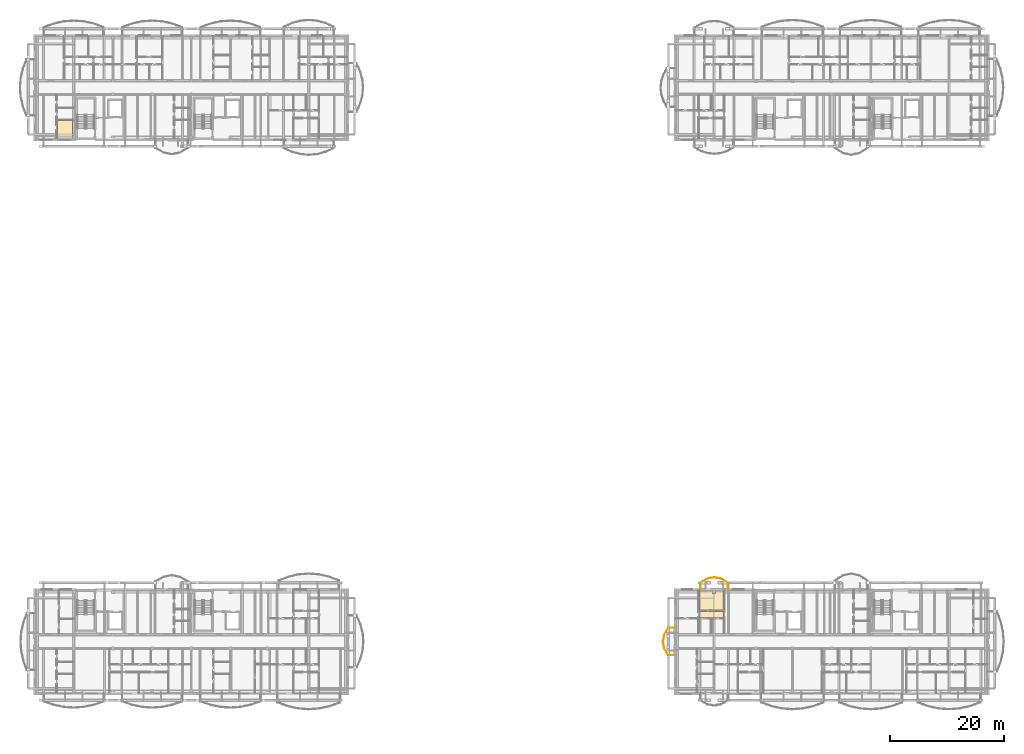
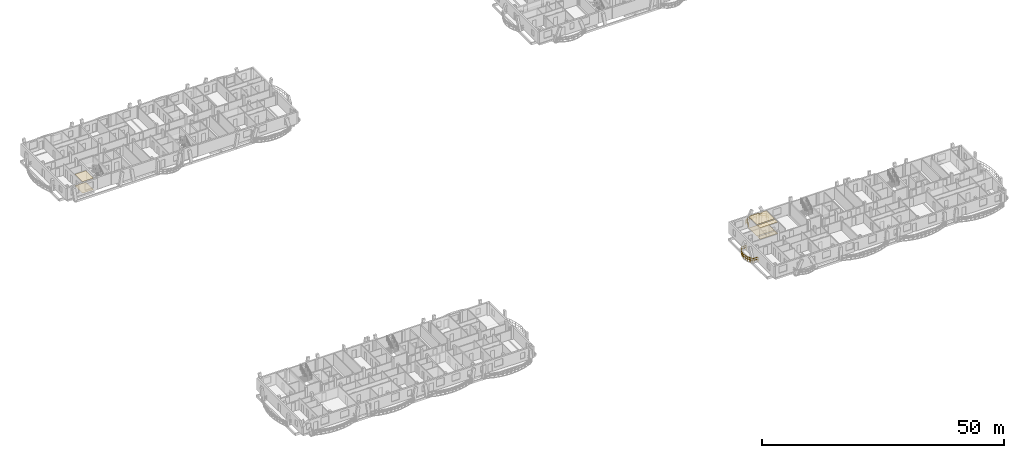
# One storey, part 42 of 52: 6 coverings, 2 railings.
"""IFC4 building model written with IfcOpenShell, lengths in metres."""

from ifc_helpers import new_model, si_unit, direction, frame, origin, origin_2d, place, context, subcontext, project, spatial, polyline, rectangle, outline, extrude, material, layer, layer_set, type_object, element, save


model = new_model("IFC4")

# Units and contexts
model_context = context("Model", 3, precision=1e-05, world=origin(), true_north=direction((0.0, 1.0)))
body_context = subcontext(model_context, "Body", "Model", "MODEL_VIEW")
ifc_project = project(units=[si_unit("LENGTHUNIT", "METRE"), si_unit("AREAUNIT", "SQUARE_METRE"), si_unit("VOLUMEUNIT", "CUBIC_METRE"), si_unit("PLANEANGLEUNIT", "RADIAN"), si_unit("MASSUNIT", "GRAM", prefix="KILO")], contexts=[model_context])

# Site, building, storey
site_placement = place(None, origin())
site = spatial("IfcSite", under=ifc_project, at=site_placement, CompositionType="ELEMENT")
building_placement = place(site_placement, origin())
building = spatial("IfcBuilding", under=site, at=building_placement, Name="Zavelmont Quarter", CompositionType="ELEMENT")
storey_placement = place(building_placement, frame((0.0, 0.0, 14.39990234375)))
storey = spatial("IfcBuildingStorey", under=building, at=storey_placement, Name="L04", CompositionType="ELEMENT", Elevation=14.39990234375)

# Coverings
ifc_material_1 = material(Name="Perforated acoustic gypsum board")
ifc_layer_1 = layer(ifc_material_1, 0.02490234375)
ifc_layer_set_1 = layer_set([ifc_layer_1], Name="Perforated acoustic gypsum board")
covering_type_1 = type_object("IfcCoveringType", Name="CV-CL01", PredefinedType="CEILING", material=ifc_layer_set_1)
covering_1_placement = place(storey_placement, frame((0.0, 0.0, 2.9150390625)))
element("IfcCovering", 1, at=covering_1_placement, inside=storey, type_object=covering_type_1, Name="L04 Single Bedroom acoustic ceiling", PredefinedType="CEILING", context=body_context, shape_type="SweptSolid", body=[
    extrude(outline(polyline([(4.030029296875, 100.969970703125), (6.669921875, 100.969970703125), (6.669921875, 98.304931640625), (6.635009765625, 98.304931640625), (6.635009765625, 97.8798828125), (4.030029296875, 97.8798828125), (4.030029296875, 100.969970703125)])), origin(), (0.0, 0.0, 1.0), 0.025146484375),
])
covering_2_placement = place(storey_placement, frame((0.0, 0.0, 2.885009765625)))
element("IfcCovering", 2, at=covering_2_placement, inside=storey, type_object=covering_type_1, Name="L04 Master Bedroom acoustic ceiling", PredefinedType="CEILING", context=body_context, shape_type="SweptSolid", body=[
    extrude(outline(polyline([(117.1298828125, 18.1201171875), (119.43505859375, 18.1201171875), (119.43505859375, 17.695068359375), (119.965087890625, 17.695068359375), (119.965087890625, 18.1201171875), (121.3701171875, 18.1201171875), (121.3701171875, 14.72998046875), (117.1298828125, 14.72998046875), (117.1298828125, 18.1201171875)])), origin(), (0.0, 0.0, 1.0), 0.025146484375),
])
ifc_material_2 = material(Name="Slatted European ash acoustic baffle ceiling")
ifc_layer_2 = layer(ifc_material_2, 0.0400390625)
ifc_layer_set_2 = layer_set([ifc_layer_2], Name="Slatted European ash acoustic baffle ceiling")
covering_type_2 = type_object("IfcCoveringType", Name="CV-CL02", PredefinedType="CEILING", material=ifc_layer_set_2)
covering_3_placement = place(storey_placement, frame((0.0, 0.0, 2.8701171875)))
element("IfcCovering", 3, at=covering_3_placement, inside=storey, type_object=covering_type_2, Name="L04 Apartment Hall acoustic ceiling", PredefinedType="CEILING", context=body_context, shape_type="SweptSolid", body=[
    extrude(outline(polyline([(117.1298828125, 14.469970703125), (121.3701171875, 14.469970703125), (121.3701171875, 13.3798828125), (117.1298828125, 13.3798828125), (117.1298828125, 14.469970703125)])), origin(), (0.0, 0.0, 1.0), 0.0400390625),
])
ifc_material_3 = material(Name="Engineered European oak parquet")
ifc_layer_3 = layer(ifc_material_3, 0.02197265625)
ifc_layer_set_3 = layer_set([ifc_layer_3], Name="Engineered European oak parquet")
covering_type_3 = type_object("IfcCoveringType", Name="CV-FL01", PredefinedType="FLOORING", material=ifc_layer_set_3)
covering_4_placement = place(storey_placement, origin())
element("IfcCovering", 4, at=covering_4_placement, inside=storey, type_object=covering_type_3, Name="L04 Single Bedroom floor finish", PredefinedType="FLOORING", context=body_context, shape_type="SweptSolid", body=[
    extrude(outline(polyline([(4.030029296875, 100.969970703125), (6.669921875, 100.969970703125), (6.669921875, 98.304931640625), (6.635009765625, 98.304931640625), (6.635009765625, 97.8798828125), (4.030029296875, 97.8798828125), (4.030029296875, 100.969970703125)])), origin(), (0.0, 0.0, 1.0), 0.022216796875),
])
covering_5_placement = place(storey_placement, origin())
element("IfcCovering", 5, at=covering_5_placement, inside=storey, type_object=covering_type_3, Name="L04 Master Bedroom floor finish", PredefinedType="FLOORING", context=body_context, shape_type="SweptSolid", body=[
    extrude(outline(polyline([(117.1298828125, 18.1201171875), (119.43505859375, 18.1201171875), (119.43505859375, 17.695068359375), (119.965087890625, 17.695068359375), (119.965087890625, 18.1201171875), (121.3701171875, 18.1201171875), (121.3701171875, 14.72998046875), (117.1298828125, 14.72998046875), (117.1298828125, 18.1201171875)])), origin(), (0.0, 0.0, 1.0), 0.022216796875),
])
ifc_material_4 = material(Name="Honed Belgian bluestone tile", Category="masonry")
ifc_layer_4 = layer(ifc_material_4, 0.030029296875)
ifc_layer_set_4 = layer_set([ifc_layer_4], Name="Honed Belgian bluestone tile")
covering_type_4 = type_object("IfcCoveringType", Name="CV-FL02", PredefinedType="FLOORING", material=ifc_layer_set_4)
covering_6_placement = place(storey_placement, origin())
element("IfcCovering", 6, at=covering_6_placement, inside=storey, type_object=covering_type_4, Name="L04 Apartment Hall floor finish", PredefinedType="FLOORING", context=body_context, shape_type="SweptSolid", body=[
    extrude(outline(polyline([(117.1298828125, 14.469970703125), (121.3701171875, 14.469970703125), (121.3701171875, 13.3798828125), (117.1298828125, 13.3798828125), (117.1298828125, 14.469970703125)])), origin(), (0.0, 0.0, 1.0), 0.030029296875),
])

# Railings
ifc_material_5 = material(Name="Powder-coated steel and tempered double safety glass", Category="steel")
railing_type = type_object("IfcRailingType", Name="RL-BAL1", PredefinedType="BALUSTRADE", material=ifc_material_5)
railing_1_placement = place(storey_placement, frame((112.780029296875, 11.623291015625, 0.0)))
element("IfcRailing", 7, at=railing_1_placement, inside=storey, type_object=railing_type, Name="L04 Block D curved balcony guard RL-BAL1", PredefinedType="BALUSTRADE", context=body_context, shape_type="SweptSolid", body=[
    extrude(rectangle(XDim=0.048095703125, YDim=0.048095703125, at=origin_2d()), frame((0.0, 0.0, 1.076171875), z_axis=(-1.0, 0.0, 0.0), x_axis=(0.0, -1.0, 0.0)), (0.0, 0.0, 1.0), 1.159912109375),
    extrude(rectangle(XDim=0.048095703125, YDim=0.048095703125, at=origin_2d()), frame((0.0, 0.0, 0.550048828125), z_axis=(-1.0, 0.0, 0.0), x_axis=(0.0, -1.0, 0.0)), (0.0, 0.0, 1.0), 1.159912109375),
    extrude(rectangle(XDim=0.048095703125, YDim=0.048095703125, at=origin_2d()), frame((-1.159912109375, 0.0, 1.076171875), z_axis=(-0.497719029856, -0.867338323447, 0.0), x_axis=(0.867338323447, -0.497719029856, 0.0)), (0.0, 0.0, 1.0), 1.39697265625),
    extrude(rectangle(XDim=0.048095703125, YDim=0.048095703125, at=origin_2d()), frame((-1.159912109375, 0.0, 0.550048828125), z_axis=(-0.497719029856, -0.867338323447, 0.0), x_axis=(0.867338323447, -0.497719029856, 0.0)), (0.0, 0.0, 1.0), 1.39697265625),
    extrude(rectangle(XDim=0.048095703125, YDim=0.048095703125, at=origin_2d()), frame((-1.855224609375, -1.211669921875, 1.076171875), z_axis=(-0.187812307996, -0.982204936337, 0.0), x_axis=(0.982204936337, -0.187812307996, 0.0)), (0.0, 0.0, 1.0), 1.233642578125),
    extrude(rectangle(XDim=0.048095703125, YDim=0.048095703125, at=origin_2d()), frame((-1.855224609375, -1.211669921875, 0.550048828125), z_axis=(-0.187812307996, -0.982204936337, 0.0), x_axis=(0.982204936337, -0.187812307996, 0.0)), (0.0, 0.0, 1.0), 1.233642578125),
    extrude(rectangle(XDim=0.048095703125, YDim=0.048095703125, at=origin_2d()), frame((-2.0869140625, -2.42333984375, 1.076171875), z_axis=(0.187812307996, -0.982204936337, 0.0), x_axis=(0.982204936337, 0.187812307996, 0.0)), (0.0, 0.0, 1.0), 1.233642578125),
    extrude(rectangle(XDim=0.048095703125, YDim=0.048095703125, at=origin_2d()), frame((-2.0869140625, -2.42333984375, 0.550048828125), z_axis=(0.187812307996, -0.982204936337, 0.0), x_axis=(0.982204936337, 0.187812307996, 0.0)), (0.0, 0.0, 1.0), 1.233642578125),
    extrude(rectangle(XDim=0.048095703125, YDim=0.048095703125, at=origin_2d()), frame((-1.855224609375, -3.635009765625, 1.076171875), z_axis=(0.497719029856, -0.867338323447, 0.0), x_axis=(0.867338323447, 0.497719029856, 0.0)), (0.0, 0.0, 1.0), 1.39697265625),
    extrude(rectangle(XDim=0.048095703125, YDim=0.048095703125, at=origin_2d()), frame((-1.855224609375, -3.635009765625, 0.550048828125), z_axis=(0.497719029856, -0.867338323447, 0.0), x_axis=(0.867338323447, 0.497719029856, 0.0)), (0.0, 0.0, 1.0), 1.39697265625),
    extrude(rectangle(XDim=0.048095703125, YDim=0.048095703125, at=origin_2d()), frame((-1.159912109375, -4.8466796875, 1.076171875), z_axis=(1.0, 0.0, 0.0), x_axis=(0.0, 1.0, 0.0)), (0.0, 0.0, 1.0), 1.159912109375),
    extrude(rectangle(XDim=0.048095703125, YDim=0.048095703125, at=origin_2d()), frame((-1.159912109375, -4.8466796875, 0.550048828125), z_axis=(1.0, 0.0, 0.0), x_axis=(0.0, 1.0, 0.0)), (0.0, 0.0, 1.0), 1.159912109375),
    extrude(rectangle(XDim=0.0419921875, YDim=0.0419921875, at=origin_2d()), origin(), (0.0, 0.0, 1.0), 1.052001953125),
    extrude(rectangle(XDim=0.0419921875, YDim=0.0419921875, at=origin_2d()), frame((-1.159912109375, 0.0, 0.0)), (0.0, 0.0, 1.0), 1.052001953125),
    extrude(rectangle(XDim=0.0419921875, YDim=0.0419921875, at=origin_2d()), frame((-1.507568359375, -0.60595703125, 0.0)), (0.0, 0.0, 1.0), 1.052001953125),
    extrude(rectangle(XDim=0.0419921875, YDim=0.0419921875, at=origin_2d()), frame((-1.855224609375, -1.211669921875, 0.0)), (0.0, 0.0, 1.0), 1.052001953125),
    extrude(rectangle(XDim=0.0419921875, YDim=0.0419921875, at=origin_2d()), frame((-1.97119140625, -1.8173828125, 0.0)), (0.0, 0.0, 1.0), 1.052001953125),
    extrude(rectangle(XDim=0.0419921875, YDim=0.0419921875, at=origin_2d()), frame((-2.0869140625, -2.42333984375, 0.0)), (0.0, 0.0, 1.0), 1.052001953125),
    extrude(rectangle(XDim=0.0419921875, YDim=0.0419921875, at=origin_2d()), frame((-1.97119140625, -3.029296875, 0.0)), (0.0, 0.0, 1.0), 1.052001953125),
    extrude(rectangle(XDim=0.0419921875, YDim=0.0419921875, at=origin_2d()), frame((-1.855224609375, -3.635009765625, 0.0)), (0.0, 0.0, 1.0), 1.052001953125),
    extrude(rectangle(XDim=0.0419921875, YDim=0.0419921875, at=origin_2d()), frame((-1.507568359375, -4.24072265625, 0.0)), (0.0, 0.0, 1.0), 1.052001953125),
    extrude(rectangle(XDim=0.0419921875, YDim=0.0419921875, at=origin_2d()), frame((-1.159912109375, -4.8466796875, 0.0)), (0.0, 0.0, 1.0), 1.052001953125),
    extrude(rectangle(XDim=0.0419921875, YDim=0.0419921875, at=origin_2d()), frame((0.0, -4.8466796875, 0.0)), (0.0, 0.0, 1.0), 1.052001953125),
])
railing_2_placement = place(storey_placement, frame((122.123291015625, 18.419921875, 0.0)))
element("IfcRailing", 8, at=railing_2_placement, inside=storey, type_object=railing_type, Name="L04 Block D curved balcony guard RL-BAL1", PredefinedType="BALUSTRADE", context=body_context, shape_type="SweptSolid", body=[
    extrude(rectangle(XDim=0.048095703125, YDim=0.048095703125, at=origin_2d()), frame((0.0, 0.0, 1.076171875), z_axis=(0.0, 1.0, 0.0), x_axis=(-1.0, 0.0, 0.0)), (0.0, 0.0, 1.0), 1.159912109375),
    extrude(rectangle(XDim=0.048095703125, YDim=0.048095703125, at=origin_2d()), frame((0.0, 0.0, 0.550048828125), z_axis=(0.0, 1.0, 0.0), x_axis=(-1.0, 0.0, 0.0)), (0.0, 0.0, 1.0), 1.159912109375),
    extrude(rectangle(XDim=0.048095703125, YDim=0.048095703125, at=origin_2d()), frame((0.0, 1.159912109375, 1.076171875), z_axis=(-0.867338323447, 0.497719029856, 0.0), x_axis=(-0.497719029856, -0.867338323447, 0.0)), (0.0, 0.0, 1.0), 1.39697265625),
    extrude(rectangle(XDim=0.048095703125, YDim=0.048095703125, at=origin_2d()), frame((0.0, 1.159912109375, 0.550048828125), z_axis=(-0.867338323447, 0.497719029856, 0.0), x_axis=(-0.497719029856, -0.867338323447, 0.0)), (0.0, 0.0, 1.0), 1.39697265625),
    extrude(rectangle(XDim=0.048095703125, YDim=0.048095703125, at=origin_2d()), frame((-1.211669921875, 1.855224609375, 1.076171875), z_axis=(-0.98216841148, 0.188003222024, 0.0), x_axis=(-0.188003222024, -0.98216841148, 0.0)), (0.0, 0.0, 1.0), 1.233642578125),
    extrude(rectangle(XDim=0.048095703125, YDim=0.048095703125, at=origin_2d()), frame((-1.211669921875, 1.855224609375, 0.550048828125), z_axis=(-0.98216841148, 0.188003222024, 0.0), x_axis=(-0.188003222024, -0.98216841148, 0.0)), (0.0, 0.0, 1.0), 1.233642578125),
    extrude(rectangle(XDim=0.048095703125, YDim=0.048095703125, at=origin_2d()), frame((-2.42333984375, 2.087158203125, 1.076171875), z_axis=(-0.98216841148, -0.188003222024, 0.0), x_axis=(0.188003222024, -0.98216841148, 0.0)), (0.0, 0.0, 1.0), 1.233642578125),
    extrude(rectangle(XDim=0.048095703125, YDim=0.048095703125, at=origin_2d()), frame((-2.42333984375, 2.087158203125, 0.550048828125), z_axis=(-0.98216841148, -0.188003222024, 0.0), x_axis=(0.188003222024, -0.98216841148, 0.0)), (0.0, 0.0, 1.0), 1.233642578125),
    extrude(rectangle(XDim=0.048095703125, YDim=0.048095703125, at=origin_2d()), frame((-3.635009765625, 1.855224609375, 1.076171875), z_axis=(-0.867338323447, -0.497719029856, 0.0), x_axis=(0.497719029856, -0.867338323447, 0.0)), (0.0, 0.0, 1.0), 1.39697265625),
    extrude(rectangle(XDim=0.048095703125, YDim=0.048095703125, at=origin_2d()), frame((-3.635009765625, 1.855224609375, 0.550048828125), z_axis=(-0.867338323447, -0.497719029856, 0.0), x_axis=(0.497719029856, -0.867338323447, 0.0)), (0.0, 0.0, 1.0), 1.39697265625),
    extrude(rectangle(XDim=0.048095703125, YDim=0.048095703125, at=origin_2d()), frame((-4.8466796875, 1.159912109375, 1.076171875), z_axis=(0.0, -1.0, 0.0), x_axis=(1.0, 0.0, 0.0)), (0.0, 0.0, 1.0), 1.159912109375),
    extrude(rectangle(XDim=0.048095703125, YDim=0.048095703125, at=origin_2d()), frame((-4.8466796875, 1.159912109375, 0.550048828125), z_axis=(0.0, -1.0, 0.0), x_axis=(1.0, 0.0, 0.0)), (0.0, 0.0, 1.0), 1.159912109375),
    extrude(rectangle(XDim=0.0419921875, YDim=0.0419921875, at=origin_2d()), origin(), (0.0, 0.0, 1.0), 1.052001953125),
    extrude(rectangle(XDim=0.0419921875, YDim=0.0419921875, at=origin_2d()), frame((0.0, 1.159912109375, 0.0)), (0.0, 0.0, 1.0), 1.052001953125),
    extrude(rectangle(XDim=0.0419921875, YDim=0.0419921875, at=origin_2d()), frame((-0.60595703125, 1.507568359375, 0.0)), (0.0, 0.0, 1.0), 1.052001953125),
    extrude(rectangle(XDim=0.0419921875, YDim=0.0419921875, at=origin_2d()), frame((-1.211669921875, 1.855224609375, 0.0)), (0.0, 0.0, 1.0), 1.052001953125),
    extrude(rectangle(XDim=0.0419921875, YDim=0.0419921875, at=origin_2d()), frame((-1.8173828125, 1.97119140625, 0.0)), (0.0, 0.0, 1.0), 1.052001953125),
    extrude(rectangle(XDim=0.0419921875, YDim=0.0419921875, at=origin_2d()), frame((-2.42333984375, 2.087158203125, 0.0)), (0.0, 0.0, 1.0), 1.052001953125),
    extrude(rectangle(XDim=0.0419921875, YDim=0.0419921875, at=origin_2d()), frame((-3.029296875, 1.97119140625, 0.0)), (0.0, 0.0, 1.0), 1.052001953125),
    extrude(rectangle(XDim=0.0419921875, YDim=0.0419921875, at=origin_2d()), frame((-3.635009765625, 1.855224609375, 0.0)), (0.0, 0.0, 1.0), 1.052001953125),
    extrude(rectangle(XDim=0.0419921875, YDim=0.0419921875, at=origin_2d()), frame((-4.24072265625, 1.507568359375, 0.0)), (0.0, 0.0, 1.0), 1.052001953125),
    extrude(rectangle(XDim=0.0419921875, YDim=0.0419921875, at=origin_2d()), frame((-4.8466796875, 1.159912109375, 0.0)), (0.0, 0.0, 1.0), 1.052001953125),
    extrude(rectangle(XDim=0.0419921875, YDim=0.0419921875, at=origin_2d()), frame((-4.8466796875, 0.0, 0.0)), (0.0, 0.0, 1.0), 1.052001953125),
])

save(model, "model.ifc")
